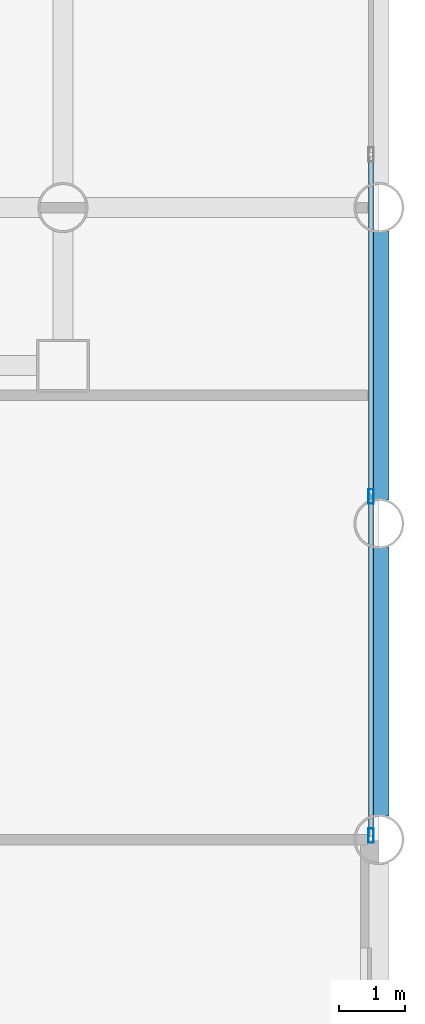
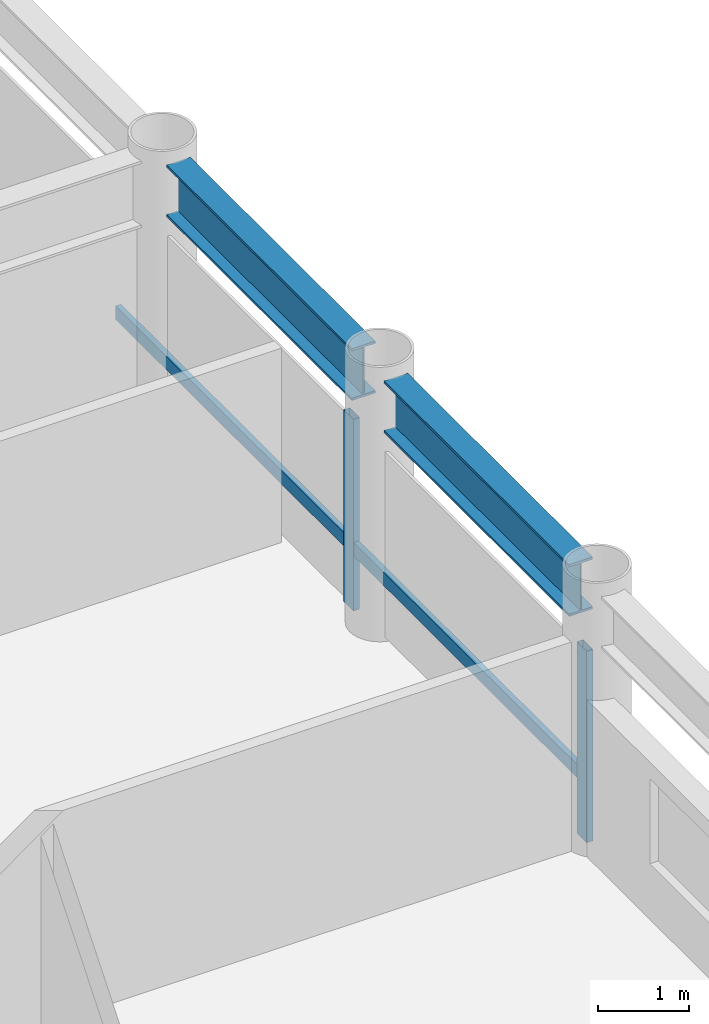
# One storey, part 8 of 21: 4 members, 2 beams, 1 element without a shape of its own.
"""IFC4 building model written with IfcOpenShell, lengths in metres."""

from ifc_helpers import new_model, si_unit, direction, frame, origin, origin_2d, place, context, subcontext, project, spatial, hollow_rectangle, i_section, extrude, material, layer, layer_set, material_profile, profile_set, type_object, element, aggregate, save


model = new_model("IFC4")

# Units and contexts
model_context = context("Model", 3, precision=1e-05, world=origin(), true_north=direction((0.0, 1.0)))
body_context = subcontext(model_context, "Body", "Model", "MODEL_VIEW")
ifc_project = project(units=[si_unit("LENGTHUNIT", "METRE"), si_unit("AREAUNIT", "SQUARE_METRE"), si_unit("VOLUMEUNIT", "CUBIC_METRE"), si_unit("PLANEANGLEUNIT", "RADIAN"), si_unit("MASSUNIT", "GRAM", prefix="KILO")], contexts=[model_context])

# Site, building, storey
site_placement = place(None, origin())
site = spatial("IfcSite", under=ifc_project, at=site_placement, CompositionType="ELEMENT")
building_placement = place(site_placement, origin())
building = spatial("IfcBuilding", under=site, at=building_placement, Name="Kallvorn Hotel Tower", CompositionType="ELEMENT")
storey_placement = place(building_placement, frame((0.0, 0.0, 44.800048828125)))
storey = spatial("IfcBuildingStorey", under=building, at=storey_placement, Name="L09", CompositionType="ELEMENT", Elevation=44.800048828125)

# Beams
ifc_material_1 = material(Name="Structural steel S355JR", Category="steel")
ifc_material_profile_1 = material_profile(ifc_material_1, i_section(OverallWidth=0.300048828125, OverallDepth=0.699951171875, WebThickness=0.01708984375, FlangeThickness=0.031982421875, at=origin_2d()), Name="HE 700 B")
ifc_profile_set_1 = profile_set([ifc_material_profile_1], Name="Structural steel S355JR")
beam_type = type_object("IfcBeamType", Name="BM_HE700B", PredefinedType="BEAM", material=ifc_profile_set_1)
beam_1_placement = place(storey_placement, frame((28.800048828125, 0.35595703125, 3.169921875), z_axis=(0.0, 1.0, 0.0), x_axis=(-1.0, 0.0, 0.0)))
element("IfcBeam", 1, at=beam_1_placement, inside=storey, type_object=beam_type, Name="L10 Primary Y-Girder 147", PredefinedType="BEAM", context=body_context, shape_type="SweptSolid", body=[
    extrude(i_section(OverallWidth=0.300048828125, OverallDepth=0.699951171875, WebThickness=0.01708984375, FlangeThickness=0.031982421875, at=origin_2d()), origin(), (0.0, 0.0, 1.0), 4.088134765625),
])
beam_2_placement = place(storey_placement, frame((28.800048828125, 5.156005859375, 3.169921875), z_axis=(0.0, 1.0, 0.0), x_axis=(-1.0, 0.0, 0.0)))
element("IfcBeam", 2, at=beam_2_placement, inside=storey, type_object=beam_type, Name="L10 Primary Y-Girder 148", PredefinedType="BEAM", context=body_context, shape_type="SweptSolid", body=[
    extrude(i_section(OverallWidth=0.300048828125, OverallDepth=0.699951171875, WebThickness=0.01708984375, FlangeThickness=0.031982421875, at=origin_2d()), origin(), (0.0, 0.0, 1.0), 4.087890625),
])

# Curtain wall, members
ifc_material_2 = material(Name="Thermally broken black-anodised aluminium AA 6063-T6", Category="aluminium")
ifc_layer = layer(ifc_material_2, 0.199951171875)
ifc_layer_set = layer_set([ifc_layer], Name="CW_SYS_3_HOTEL_LOW")
curtain_wall_type = type_object("IfcCurtainWallType", Name="CW_SYS_3_HOTEL_LOW", PredefinedType="USERDEFINED", material=ifc_layer_set)
curtain_wall_placement = place(storey_placement, origin())
curtain_wall = element("IfcCurtainWall", 3, at=curtain_wall_placement, inside=storey, type_object=curtain_wall_type, Name="L09 Dark-Glass Curtain Wall CW-L09-EN", ObjectType="UNITISED CURTAIN WALL", PredefinedType="USERDEFINED")
ifc_material_3 = material(Name="Thermally broken black-anodised aluminium AA 6063-T6", Category="aluminium")
ifc_material_profile_2 = material_profile(ifc_material_3, hollow_rectangle(XDim=0.080078125, YDim=0.219970703125, WallThickness=0.0048828125, at=origin_2d()), Name="MUL 220x80")
ifc_profile_set_2 = profile_set([ifc_material_profile_2], Name="Thermally broken black-anodised aluminium AA 6063-T6")
member_type_1 = type_object("IfcMemberType", Name="CW_MULLION_220x80", PredefinedType="MULLION", material=ifc_profile_set_2)
member_1_placement = place(storey_placement, frame((28.679931640625, 0.06005859375, 0.02001953125), z_axis=(0.0, 0.0, 1.0), x_axis=(1.0, 0.0, 0.0)))
member_1 = element("IfcMember", 4, at=member_1_placement, type_object=member_type_1, Name="CW-L09-EN Mullion 00", PredefinedType="MULLION", context=body_context, shape_type="SweptSolid", body=[
    extrude(hollow_rectangle(XDim=0.080078125, YDim=0.219970703125, WallThickness=0.0048828125, at=origin_2d()), origin(), (0.0, 0.0, 1.0), 2.579833984375),
])
member_2_placement = place(storey_placement, frame((28.679931640625, 5.21337890625, 0.02001953125), z_axis=(0.0, 0.0, 1.0), x_axis=(1.0, 0.0, 0.0)))
member_2 = element("IfcMember", 5, at=member_2_placement, type_object=member_type_1, Name="CW-L09-EN Mullion 01", PredefinedType="MULLION", context=body_context, shape_type="SweptSolid", body=[
    extrude(hollow_rectangle(XDim=0.080078125, YDim=0.219970703125, WallThickness=0.0048828125, at=origin_2d()), origin(), (0.0, 0.0, 1.0), 2.579833984375),
])
ifc_material_4 = material(Name="Thermally broken black-anodised aluminium AA 6063-T6", Category="aluminium")
ifc_material_profile_3 = material_profile(ifc_material_4, hollow_rectangle(XDim=0.070068359375, YDim=0.179931640625, WallThickness=0.00390625, at=origin_2d()), Name="TRN 180x70")
ifc_profile_set_3 = profile_set([ifc_material_profile_3], Name="Thermally broken black-anodised aluminium AA 6063-T6")
member_type_2 = type_object("IfcMemberType", Name="CW_TRANSOM_180x70", PredefinedType="USERDEFINED", material=ifc_profile_set_3)
member_3_placement = place(storey_placement, frame((28.679931640625, 0.06005859375, 0.849853515625), z_axis=(0.0, 1.0, 0.0), x_axis=(-1.0, 0.0, 0.0)))
member_3 = element("IfcMember", 6, at=member_3_placement, type_object=member_type_2, Name="CW-L09-EN Transom 00M", ObjectType="TRANSOM", PredefinedType="USERDEFINED", context=body_context, shape_type="SweptSolid", body=[
    extrude(hollow_rectangle(XDim=0.070068359375, YDim=0.179931640625, WallThickness=0.00390625, at=origin_2d()), origin(), (0.0, 0.0, 1.0), 5.11328125),
])
member_4_placement = place(storey_placement, frame((28.679931640625, 5.25341796875, 0.849853515625), z_axis=(0.0, 1.0, 0.0), x_axis=(-1.0, 0.0, 0.0)))
member_4 = element("IfcMember", 7, at=member_4_placement, type_object=member_type_2, Name="CW-L09-EN Transom 01M", ObjectType="TRANSOM", PredefinedType="USERDEFINED", context=body_context, shape_type="SweptSolid", body=[
    extrude(hollow_rectangle(XDim=0.070068359375, YDim=0.179931640625, WallThickness=0.00390625, at=origin_2d()), origin(), (0.0, 0.0, 1.0), 5.11328125),
])
aggregate(curtain_wall, [member_1, member_2, member_3, member_4])

save(model, "model.ifc")
